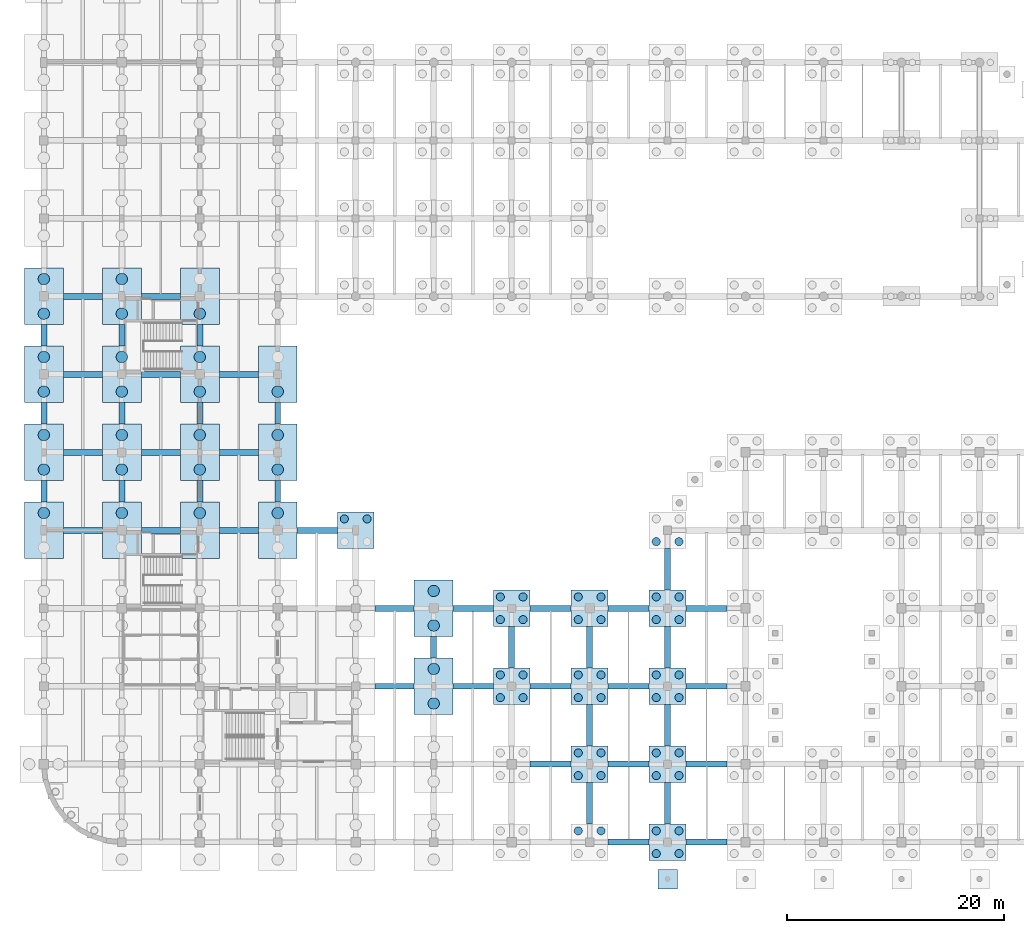
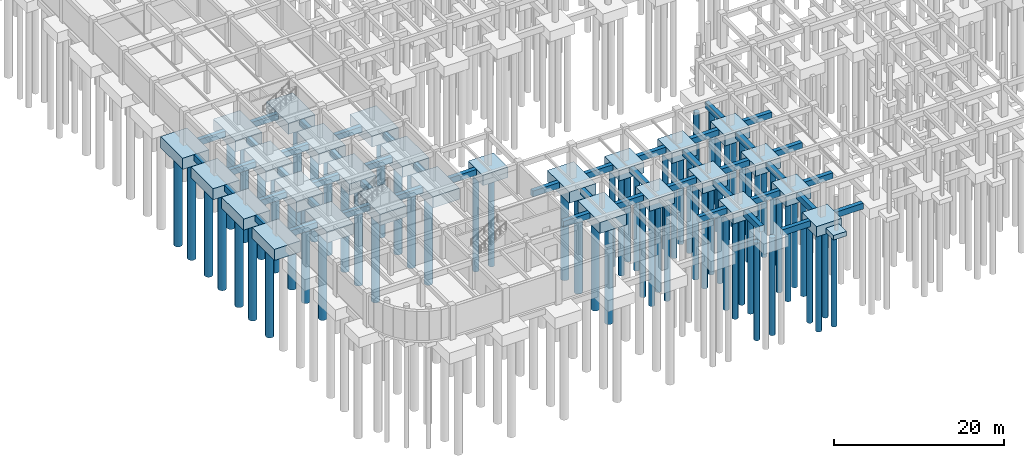
# One storey, part 2 of 47: 75 footings, 70 piles.
"""IFC4 building model written with IfcOpenShell, lengths in metres."""

from ifc_helpers import new_model, si_unit, direction, frame, origin, origin_2d, place, context, subcontext, project, spatial, rectangle, circle, extrude, material, material_profile, profile_set, type_object, element, save


model = new_model("IFC4")

# Units and contexts
model_context = context("Model", 3, precision=1e-05, world=origin(), true_north=direction((0.0, 1.0)))
body_context = subcontext(model_context, "Body", "Model", "MODEL_VIEW")
ifc_project = project(units=[si_unit("LENGTHUNIT", "METRE"), si_unit("AREAUNIT", "SQUARE_METRE"), si_unit("VOLUMEUNIT", "CUBIC_METRE"), si_unit("PLANEANGLEUNIT", "RADIAN"), si_unit("MASSUNIT", "GRAM", prefix="KILO")], contexts=[model_context])

# Site, building, storey
site_placement = place(None, origin())
site = spatial("IfcSite", under=ifc_project, at=site_placement, CompositionType="ELEMENT")
building_placement = place(site_placement, origin())
building = spatial("IfcBuilding", under=site, at=building_placement, Name="Thalmaran Polytechnic", CompositionType="ELEMENT")
storey_placement = place(building_placement, frame((0.0, 0.0, -4.5)))
storey = spatial("IfcBuildingStorey", under=building, at=storey_placement, Name="B1", CompositionType="ELEMENT", Elevation=-4.5)

# Footings
ifc_material_1 = material(Name="Concrete C40/50", Category="concrete")
ifc_material_profile_1 = material_profile(ifc_material_1, rectangle(XDim=0.550048828125, YDim=0.85009765625, at=origin_2d()), Name="RC 550x850")
ifc_profile_set_1 = profile_set([ifc_material_profile_1], Name="Concrete C40/50")
footing_type_1 = type_object("IfcFootingType", Name="FN-GB01", PredefinedType="FOOTING_BEAM", material=ifc_profile_set_1)
footing_1_placement = place(storey_placement, frame((1.800048828125, 28.800048828125, -0.875), z_axis=(1.0, 0.0, 0.0), x_axis=(0.0, 1.0, 0.0)))
element("IfcFooting", 1, at=footing_1_placement, inside=storey, type_object=footing_type_1, Name="Ground Tie Beam B1 X (0,4)", PredefinedType="FOOTING_BEAM", context=body_context, shape_type="SweptSolid", body=[
    extrude(rectangle(XDim=0.550048828125, YDim=0.85009765625, at=origin_2d()), origin(), (0.0, 0.0, 1.0), 3.599853515625),
])
footing_2_placement = place(storey_placement, frame((0.0, 31.39990234375, -0.875), z_axis=(0.0, 1.0, 0.0), x_axis=(-1.0, 0.0, 0.0)))
element("IfcFooting", 2, at=footing_2_placement, inside=storey, type_object=footing_type_1, Name="Ground Tie Beam B1 Y (0,4)", PredefinedType="FOOTING_BEAM", context=body_context, shape_type="SweptSolid", body=[
    extrude(rectangle(XDim=0.550048828125, YDim=0.85009765625, at=origin_2d()), origin(), (0.0, 0.0, 1.0), 2.0),
])
footing_3_placement = place(storey_placement, frame((1.800048828125, 36.0, -0.875), z_axis=(1.0, 0.0, 0.0), x_axis=(0.0, 1.0, 0.0)))
element("IfcFooting", 3, at=footing_3_placement, inside=storey, type_object=footing_type_1, Name="Ground Tie Beam B1 X (0,5)", PredefinedType="FOOTING_BEAM", context=body_context, shape_type="SweptSolid", body=[
    extrude(rectangle(XDim=0.550048828125, YDim=0.85009765625, at=origin_2d()), origin(), (0.0, 0.0, 1.0), 3.599853515625),
])
footing_4_placement = place(storey_placement, frame((0.0, 38.60009765625, -0.875), z_axis=(0.0, 1.0, 0.0), x_axis=(-1.0, 0.0, 0.0)))
element("IfcFooting", 4, at=footing_4_placement, inside=storey, type_object=footing_type_1, Name="Ground Tie Beam B1 Y (0,5)", PredefinedType="FOOTING_BEAM", context=body_context, shape_type="SweptSolid", body=[
    extrude(rectangle(XDim=0.550048828125, YDim=0.85009765625, at=origin_2d()), origin(), (0.0, 0.0, 1.0), 2.0),
])
footing_5_placement = place(storey_placement, frame((1.800048828125, 43.199951171875, -0.875), z_axis=(1.0, 0.0, 0.0), x_axis=(0.0, 1.0, 0.0)))
element("IfcFooting", 5, at=footing_5_placement, inside=storey, type_object=footing_type_1, Name="Ground Tie Beam B1 X (0,6)", PredefinedType="FOOTING_BEAM", context=body_context, shape_type="SweptSolid", body=[
    extrude(rectangle(XDim=0.550048828125, YDim=0.85009765625, at=origin_2d()), origin(), (0.0, 0.0, 1.0), 3.599853515625),
])
footing_6_placement = place(storey_placement, frame((0.0, 45.800048828125, -0.875), z_axis=(0.0, 1.0, 0.0), x_axis=(-1.0, 0.0, 0.0)))
element("IfcFooting", 6, at=footing_6_placement, inside=storey, type_object=footing_type_1, Name="Ground Tie Beam B1 Y (0,6)", PredefinedType="FOOTING_BEAM", context=body_context, shape_type="SweptSolid", body=[
    extrude(rectangle(XDim=0.550048828125, YDim=0.85009765625, at=origin_2d()), origin(), (0.0, 0.0, 1.0), 2.0),
])
footing_7_placement = place(storey_placement, frame((1.800048828125, 50.39990234375, -0.875), z_axis=(1.0, 0.0, 0.0), x_axis=(0.0, 1.0, 0.0)))
element("IfcFooting", 7, at=footing_7_placement, inside=storey, type_object=footing_type_1, Name="Ground Tie Beam B1 X (0,7)", PredefinedType="FOOTING_BEAM", context=body_context, shape_type="SweptSolid", body=[
    extrude(rectangle(XDim=0.550048828125, YDim=0.85009765625, at=origin_2d()), origin(), (0.0, 0.0, 1.0), 3.599853515625),
])
footing_8_placement = place(storey_placement, frame((9.0, 28.800048828125, -0.875), z_axis=(1.0, 0.0, 0.0), x_axis=(0.0, 1.0, 0.0)))
element("IfcFooting", 8, at=footing_8_placement, inside=storey, type_object=footing_type_1, Name="Ground Tie Beam B1 X (1,4)", PredefinedType="FOOTING_BEAM", context=body_context, shape_type="SweptSolid", body=[
    extrude(rectangle(XDim=0.550048828125, YDim=0.85009765625, at=origin_2d()), origin(), (0.0, 0.0, 1.0), 3.60009765625),
])
footing_9_placement = place(storey_placement, frame((7.199951171875, 31.39990234375, -0.875), z_axis=(0.0, 1.0, 0.0), x_axis=(-1.0, 0.0, 0.0)))
element("IfcFooting", 9, at=footing_9_placement, inside=storey, type_object=footing_type_1, Name="Ground Tie Beam B1 Y (1,4)", PredefinedType="FOOTING_BEAM", context=body_context, shape_type="SweptSolid", body=[
    extrude(rectangle(XDim=0.550048828125, YDim=0.85009765625, at=origin_2d()), origin(), (0.0, 0.0, 1.0), 2.0),
])
footing_10_placement = place(storey_placement, frame((9.0, 36.0, -0.875), z_axis=(1.0, 0.0, 0.0), x_axis=(0.0, 1.0, 0.0)))
element("IfcFooting", 10, at=footing_10_placement, inside=storey, type_object=footing_type_1, Name="Ground Tie Beam B1 X (1,5)", PredefinedType="FOOTING_BEAM", context=body_context, shape_type="SweptSolid", body=[
    extrude(rectangle(XDim=0.550048828125, YDim=0.85009765625, at=origin_2d()), origin(), (0.0, 0.0, 1.0), 3.60009765625),
])
footing_11_placement = place(storey_placement, frame((7.199951171875, 38.60009765625, -0.875), z_axis=(0.0, 1.0, 0.0), x_axis=(-1.0, 0.0, 0.0)))
element("IfcFooting", 11, at=footing_11_placement, inside=storey, type_object=footing_type_1, Name="Ground Tie Beam B1 Y (1,5)", PredefinedType="FOOTING_BEAM", context=body_context, shape_type="SweptSolid", body=[
    extrude(rectangle(XDim=0.550048828125, YDim=0.85009765625, at=origin_2d()), origin(), (0.0, 0.0, 1.0), 2.0),
])
footing_12_placement = place(storey_placement, frame((9.0, 43.199951171875, -0.875), z_axis=(1.0, 0.0, 0.0), x_axis=(0.0, 1.0, 0.0)))
element("IfcFooting", 12, at=footing_12_placement, inside=storey, type_object=footing_type_1, Name="Ground Tie Beam B1 X (1,6)", PredefinedType="FOOTING_BEAM", context=body_context, shape_type="SweptSolid", body=[
    extrude(rectangle(XDim=0.550048828125, YDim=0.85009765625, at=origin_2d()), origin(), (0.0, 0.0, 1.0), 3.60009765625),
])
footing_13_placement = place(storey_placement, frame((7.199951171875, 45.800048828125, -0.875), z_axis=(0.0, 1.0, 0.0), x_axis=(-1.0, 0.0, 0.0)))
element("IfcFooting", 13, at=footing_13_placement, inside=storey, type_object=footing_type_1, Name="Ground Tie Beam B1 Y (1,6)", PredefinedType="FOOTING_BEAM", context=body_context, shape_type="SweptSolid", body=[
    extrude(rectangle(XDim=0.550048828125, YDim=0.85009765625, at=origin_2d()), origin(), (0.0, 0.0, 1.0), 2.0),
])
for number, where, z_axis, x_axis, name in (
    (14, (9.0, 50.39990234375, -0.875), (1.0, 0.0, 0.0), (0.0, 1.0, 0.0), "Ground Tie Beam B1 X (1,7)"),
    (15, (16.199951171875, 28.800048828125, -0.875), (1.0, 0.0, 0.0), (0.0, 1.0, 0.0), "Ground Tie Beam B1 X (2,4)"),
):
    element("IfcFooting", number, at=place(storey_placement, frame(where, z_axis=z_axis, x_axis=x_axis)), inside=storey, type_object=footing_type_1, Name=name, PredefinedType="FOOTING_BEAM", context=body_context, shape_type="SweptSolid", body=[
        extrude(rectangle(XDim=0.550048828125, YDim=0.85009765625, at=origin_2d()), origin(), (0.0, 0.0, 1.0), 3.60009765625),
    ])
footing_14_placement = place(storey_placement, frame((14.39990234375, 31.39990234375, -0.875), z_axis=(0.0, 1.0, 0.0), x_axis=(-1.0, 0.0, 0.0)))
element("IfcFooting", 16, at=footing_14_placement, inside=storey, type_object=footing_type_1, Name="Ground Tie Beam B1 Y (2,4)", PredefinedType="FOOTING_BEAM", context=body_context, shape_type="SweptSolid", body=[
    extrude(rectangle(XDim=0.550048828125, YDim=0.85009765625, at=origin_2d()), origin(), (0.0, 0.0, 1.0), 2.0),
])
footing_15_placement = place(storey_placement, frame((16.199951171875, 36.0, -0.875), z_axis=(1.0, 0.0, 0.0), x_axis=(0.0, 1.0, 0.0)))
element("IfcFooting", 17, at=footing_15_placement, inside=storey, type_object=footing_type_1, Name="Ground Tie Beam B1 X (2,5)", PredefinedType="FOOTING_BEAM", context=body_context, shape_type="SweptSolid", body=[
    extrude(rectangle(XDim=0.550048828125, YDim=0.85009765625, at=origin_2d()), origin(), (0.0, 0.0, 1.0), 3.60009765625),
])
footing_16_placement = place(storey_placement, frame((14.39990234375, 38.60009765625, -0.875), z_axis=(0.0, 1.0, 0.0), x_axis=(-1.0, 0.0, 0.0)))
element("IfcFooting", 18, at=footing_16_placement, inside=storey, type_object=footing_type_1, Name="Ground Tie Beam B1 Y (2,5)", PredefinedType="FOOTING_BEAM", context=body_context, shape_type="SweptSolid", body=[
    extrude(rectangle(XDim=0.550048828125, YDim=0.85009765625, at=origin_2d()), origin(), (0.0, 0.0, 1.0), 2.0),
])
footing_17_placement = place(storey_placement, frame((16.199951171875, 43.199951171875, -0.875), z_axis=(1.0, 0.0, 0.0), x_axis=(0.0, 1.0, 0.0)))
element("IfcFooting", 19, at=footing_17_placement, inside=storey, type_object=footing_type_1, Name="Ground Tie Beam B1 X (2,6)", PredefinedType="FOOTING_BEAM", context=body_context, shape_type="SweptSolid", body=[
    extrude(rectangle(XDim=0.550048828125, YDim=0.85009765625, at=origin_2d()), origin(), (0.0, 0.0, 1.0), 3.60009765625),
])
footing_18_placement = place(storey_placement, frame((14.39990234375, 45.800048828125, -0.875), z_axis=(0.0, 1.0, 0.0), x_axis=(-1.0, 0.0, 0.0)))
element("IfcFooting", 20, at=footing_18_placement, inside=storey, type_object=footing_type_1, Name="Ground Tie Beam B1 Y (2,6)", PredefinedType="FOOTING_BEAM", context=body_context, shape_type="SweptSolid", body=[
    extrude(rectangle(XDim=0.550048828125, YDim=0.85009765625, at=origin_2d()), origin(), (0.0, 0.0, 1.0), 2.0),
])
footing_19_placement = place(storey_placement, frame((23.39990234375, 28.800048828125, -0.875), z_axis=(1.0, 0.0, 0.0), x_axis=(0.0, 1.0, 0.0)))
element("IfcFooting", 21, at=footing_19_placement, inside=storey, type_object=footing_type_1, Name="Ground Tie Beam B1 X (3,4)", PredefinedType="FOOTING_BEAM", context=body_context, shape_type="SweptSolid", body=[
    extrude(rectangle(XDim=0.550048828125, YDim=0.85009765625, at=origin_2d()), origin(), (0.0, 0.0, 1.0), 3.7001953125),
])
for number, where, z_axis, x_axis, name in (
    (22, (21.60009765625, 31.39990234375, -0.875), (0.0, 1.0, 0.0), (-1.0, 0.0, 0.0), "Ground Tie Beam B1 Y (3,4)"),
    (23, (21.60009765625, 38.60009765625, -0.875), (0.0, 1.0, 0.0), (-1.0, 0.0, 0.0), "Ground Tie Beam B1 Y (3,5)"),
):
    element("IfcFooting", number, at=place(storey_placement, frame(where, z_axis=z_axis, x_axis=x_axis)), inside=storey, type_object=footing_type_1, Name=name, PredefinedType="FOOTING_BEAM", context=body_context, shape_type="SweptSolid", body=[
        extrude(rectangle(XDim=0.550048828125, YDim=0.85009765625, at=origin_2d()), origin(), (0.0, 0.0, 1.0), 2.0),
    ])
for number, where, z_axis, x_axis, name in (
    (24, (30.60009765625, 14.39990234375, -0.875), (1.0, 0.0, 0.0), (0.0, 1.0, 0.0), "Ground Tie Beam B1 X (4,2)"),
    (25, (30.60009765625, 21.60009765625, -0.875), (1.0, 0.0, 0.0), (0.0, 1.0, 0.0), "Ground Tie Beam B1 X (4,3)"),
):
    element("IfcFooting", number, at=place(storey_placement, frame(where, z_axis=z_axis, x_axis=x_axis)), inside=storey, type_object=footing_type_1, Name=name, PredefinedType="FOOTING_BEAM", context=body_context, shape_type="SweptSolid", body=[
        extrude(rectangle(XDim=0.550048828125, YDim=0.85009765625, at=origin_2d()), origin(), (0.0, 0.0, 1.0), 3.599853515625),
    ])
footing_20_placement = place(storey_placement, frame((37.800048828125, 14.39990234375, -0.875), z_axis=(1.0, 0.0, 0.0), x_axis=(0.0, 1.0, 0.0)))
element("IfcFooting", 26, at=footing_20_placement, inside=storey, type_object=footing_type_1, Name="Ground Tie Beam B1 X (5,2)", PredefinedType="FOOTING_BEAM", context=body_context, shape_type="SweptSolid", body=[
    extrude(rectangle(XDim=0.550048828125, YDim=0.85009765625, at=origin_2d()), origin(), (0.0, 0.0, 1.0), 3.699951171875),
])
footing_21_placement = place(storey_placement, frame((36.0, 17.0, -0.875), z_axis=(0.0, 1.0, 0.0), x_axis=(-1.0, 0.0, 0.0)))
element("IfcFooting", 27, at=footing_21_placement, inside=storey, type_object=footing_type_1, Name="Ground Tie Beam B1 Y (5,2)", PredefinedType="FOOTING_BEAM", context=body_context, shape_type="SweptSolid", body=[
    extrude(rectangle(XDim=0.550048828125, YDim=0.85009765625, at=origin_2d()), origin(), (0.0, 0.0, 1.0), 2.0),
])
footing_22_placement = place(storey_placement, frame((37.800048828125, 21.60009765625, -0.875), z_axis=(1.0, 0.0, 0.0), x_axis=(0.0, 1.0, 0.0)))
element("IfcFooting", 28, at=footing_22_placement, inside=storey, type_object=footing_type_1, Name="Ground Tie Beam B1 X (5,3)", PredefinedType="FOOTING_BEAM", context=body_context, shape_type="SweptSolid", body=[
    extrude(rectangle(XDim=0.550048828125, YDim=0.85009765625, at=origin_2d()), origin(), (0.0, 0.0, 1.0), 3.699951171875),
])
for number, where, z_axis, x_axis, name in (
    (29, (44.89990234375, 7.199951171875, -0.875), (1.0, 0.0, 0.0), (0.0, 1.0, 0.0), "Ground Tie Beam B1 X (6,1)"),
    (30, (44.89990234375, 14.39990234375, -0.875), (1.0, 0.0, 0.0), (0.0, 1.0, 0.0), "Ground Tie Beam B1 X (6,2)"),
):
    element("IfcFooting", number, at=place(storey_placement, frame(where, z_axis=z_axis, x_axis=x_axis)), inside=storey, type_object=footing_type_1, Name=name, PredefinedType="FOOTING_BEAM", context=body_context, shape_type="SweptSolid", body=[
        extrude(rectangle(XDim=0.550048828125, YDim=0.85009765625, at=origin_2d()), origin(), (0.0, 0.0, 1.0), 3.800048828125),
    ])
footing_23_placement = place(storey_placement, frame((43.199951171875, 16.10009765625, -0.875), z_axis=(0.0, 1.0, 0.0), x_axis=(-1.0, 0.0, 0.0)))
element("IfcFooting", 31, at=footing_23_placement, inside=storey, type_object=footing_type_1, Name="Ground Tie Beam B1 Y (6,2)", PredefinedType="FOOTING_BEAM", context=body_context, shape_type="SweptSolid", body=[
    extrude(rectangle(XDim=0.550048828125, YDim=0.85009765625, at=origin_2d()), origin(), (0.0, 0.0, 1.0), 3.7998046875),
])
footing_24_placement = place(storey_placement, frame((44.89990234375, 21.60009765625, -0.875), z_axis=(1.0, 0.0, 0.0), x_axis=(0.0, 1.0, 0.0)))
element("IfcFooting", 32, at=footing_24_placement, inside=storey, type_object=footing_type_1, Name="Ground Tie Beam B1 X (6,3)", PredefinedType="FOOTING_BEAM", context=body_context, shape_type="SweptSolid", body=[
    extrude(rectangle(XDim=0.550048828125, YDim=0.85009765625, at=origin_2d()), origin(), (0.0, 0.0, 1.0), 3.800048828125),
])
footing_25_placement = place(storey_placement, frame((52.10009765625, 0.0, -0.875), z_axis=(1.0, 0.0, 0.0), x_axis=(0.0, 1.0, 0.0)))
element("IfcFooting", 33, at=footing_25_placement, inside=storey, type_object=footing_type_1, Name="Ground Tie Beam B1 X (7,0)", PredefinedType="FOOTING_BEAM", context=body_context, shape_type="SweptSolid", body=[
    extrude(rectangle(XDim=0.550048828125, YDim=0.85009765625, at=origin_2d()), origin(), (0.0, 0.0, 1.0), 3.7998046875),
])
footing_26_placement = place(storey_placement, frame((50.39990234375, 1.699951171875, -0.875), z_axis=(0.0, 1.0, 0.0), x_axis=(-1.0, 0.0, 0.0)))
element("IfcFooting", 34, at=footing_26_placement, inside=storey, type_object=footing_type_1, Name="Ground Tie Beam B1 Y (7,0)", PredefinedType="FOOTING_BEAM", context=body_context, shape_type="SweptSolid", body=[
    extrude(rectangle(XDim=0.550048828125, YDim=0.85009765625, at=origin_2d()), origin(), (0.0, 0.0, 1.0), 3.800048828125),
])
footing_27_placement = place(storey_placement, frame((52.10009765625, 7.199951171875, -0.875), z_axis=(1.0, 0.0, 0.0), x_axis=(0.0, 1.0, 0.0)))
element("IfcFooting", 35, at=footing_27_placement, inside=storey, type_object=footing_type_1, Name="Ground Tie Beam B1 X (7,1)", PredefinedType="FOOTING_BEAM", context=body_context, shape_type="SweptSolid", body=[
    extrude(rectangle(XDim=0.550048828125, YDim=0.85009765625, at=origin_2d()), origin(), (0.0, 0.0, 1.0), 3.7998046875),
])
footing_28_placement = place(storey_placement, frame((50.39990234375, 8.89990234375, -0.875), z_axis=(0.0, 1.0, 0.0), x_axis=(-1.0, 0.0, 0.0)))
element("IfcFooting", 36, at=footing_28_placement, inside=storey, type_object=footing_type_1, Name="Ground Tie Beam B1 Y (7,1)", PredefinedType="FOOTING_BEAM", context=body_context, shape_type="SweptSolid", body=[
    extrude(rectangle(XDim=0.550048828125, YDim=0.85009765625, at=origin_2d()), origin(), (0.0, 0.0, 1.0), 3.800048828125),
])
for number, where, z_axis, x_axis, name in (
    (37, (52.10009765625, 14.39990234375, -0.875), (1.0, 0.0, 0.0), (0.0, 1.0, 0.0), "Ground Tie Beam B1 X (7,2)"),
    (38, (50.39990234375, 16.10009765625, -0.875), (0.0, 1.0, 0.0), (-1.0, 0.0, 0.0), "Ground Tie Beam B1 Y (7,2)"),
    (39, (52.10009765625, 21.60009765625, -0.875), (1.0, 0.0, 0.0), (0.0, 1.0, 0.0), "Ground Tie Beam B1 X (7,3)"),
):
    element("IfcFooting", number, at=place(storey_placement, frame(where, z_axis=z_axis, x_axis=x_axis)), inside=storey, type_object=footing_type_1, Name=name, PredefinedType="FOOTING_BEAM", context=body_context, shape_type="SweptSolid", body=[
        extrude(rectangle(XDim=0.550048828125, YDim=0.85009765625, at=origin_2d()), origin(), (0.0, 0.0, 1.0), 3.7998046875),
    ])
for number, where, z_axis, x_axis, name in (
    (40, (59.300048828125, 0.0, -0.875), (1.0, 0.0, 0.0), (0.0, 1.0, 0.0), "Ground Tie Beam B1 X (8,0)"),
    (41, (57.60009765625, 1.699951171875, -0.875), (0.0, 1.0, 0.0), (-1.0, 0.0, 0.0), "Ground Tie Beam B1 Y (8,0)"),
    (42, (59.300048828125, 7.199951171875, -0.875), (1.0, 0.0, 0.0), (0.0, 1.0, 0.0), "Ground Tie Beam B1 X (8,1)"),
    (43, (57.60009765625, 8.89990234375, -0.875), (0.0, 1.0, 0.0), (-1.0, 0.0, 0.0), "Ground Tie Beam B1 Y (8,1)"),
    (44, (59.300048828125, 14.39990234375, -0.875), (1.0, 0.0, 0.0), (0.0, 1.0, 0.0), "Ground Tie Beam B1 X (8,2)"),
):
    element("IfcFooting", number, at=place(storey_placement, frame(where, z_axis=z_axis, x_axis=x_axis)), inside=storey, type_object=footing_type_1, Name=name, PredefinedType="FOOTING_BEAM", context=body_context, shape_type="SweptSolid", body=[
        extrude(rectangle(XDim=0.550048828125, YDim=0.85009765625, at=origin_2d()), origin(), (0.0, 0.0, 1.0), 3.800048828125),
    ])
footing_29_placement = place(storey_placement, frame((57.60009765625, 16.10009765625, -0.875), z_axis=(0.0, 1.0, 0.0), x_axis=(-1.0, 0.0, 0.0)))
element("IfcFooting", 45, at=footing_29_placement, inside=storey, type_object=footing_type_1, Name="Ground Tie Beam B1 Y (8,2)", PredefinedType="FOOTING_BEAM", context=body_context, shape_type="SweptSolid", body=[
    extrude(rectangle(XDim=0.550048828125, YDim=0.85009765625, at=origin_2d()), origin(), (0.0, 0.0, 1.0), 3.7998046875),
])
for number, where, z_axis, x_axis, name in (
    (46, (59.300048828125, 21.60009765625, -0.875), (1.0, 0.0, 0.0), (0.0, 1.0, 0.0), "Ground Tie Beam B1 X (8,3)"),
    (47, (57.60009765625, 23.300048828125, -0.875), (0.0, 1.0, 0.0), (-1.0, 0.0, 0.0), "Ground Tie Beam B1 Y (8,3)"),
):
    element("IfcFooting", number, at=place(storey_placement, frame(where, z_axis=z_axis, x_axis=x_axis)), inside=storey, type_object=footing_type_1, Name=name, PredefinedType="FOOTING_BEAM", context=body_context, shape_type="SweptSolid", body=[
        extrude(rectangle(XDim=0.550048828125, YDim=0.85009765625, at=origin_2d()), origin(), (0.0, 0.0, 1.0), 3.800048828125),
    ])
footing_type_2 = type_object("IfcFootingType", Name="FN-PC01", PredefinedType="PILE_CAP", material=ifc_material_1)
for number, where, z_axis, x_axis, name in (
    (48, (28.800048828125, 28.800048828125, -1.949951171875), (0.0, 0.0, 1.0), (1.0, 0.0, 0.0), "Pile Cap PC01 (4,4)"),
    (49, (43.199951171875, 14.39990234375, -1.949951171875), (0.0, 0.0, 1.0), (1.0, 0.0, 0.0), "Pile Cap PC01 (6,2)"),
    (50, (43.199951171875, 21.60009765625, -1.949951171875), (0.0, 0.0, 1.0), (1.0, 0.0, 0.0), "Pile Cap PC01 (6,3)"),
    (51, (50.39990234375, 7.199951171875, -1.949951171875), (0.0, 0.0, 1.0), (1.0, 0.0, 0.0), "Pile Cap PC01 (7,1)"),
    (52, (50.39990234375, 14.39990234375, -1.949951171875), (0.0, 0.0, 1.0), (1.0, 0.0, 0.0), "Pile Cap PC01 (7,2)"),
    (53, (50.39990234375, 21.60009765625, -1.949951171875), (0.0, 0.0, 1.0), (1.0, 0.0, 0.0), "Pile Cap PC01 (7,3)"),
    (54, (57.60009765625, 0.0, -1.949951171875), (0.0, 0.0, 1.0), (1.0, 0.0, 0.0), "Pile Cap PC01 (8,0)"),
    (55, (57.60009765625, 7.199951171875, -1.949951171875), (0.0, 0.0, 1.0), (1.0, 0.0, 0.0), "Pile Cap PC01 (8,1)"),
    (56, (57.60009765625, 14.39990234375, -1.949951171875), (0.0, 0.0, 1.0), (1.0, 0.0, 0.0), "Pile Cap PC01 (8,2)"),
    (57, (57.60009765625, 21.60009765625, -1.949951171875), (0.0, 0.0, 1.0), (1.0, 0.0, 0.0), "Pile Cap PC01 (8,3)"),
):
    element("IfcFooting", number, at=place(storey_placement, frame(where, z_axis=z_axis, x_axis=x_axis)), inside=storey, type_object=footing_type_2, Name=name, PredefinedType="PILE_CAP", context=body_context, shape_type="SweptSolid", body=[
        extrude(rectangle(XDim=3.39990234375, YDim=3.39990234375, at=origin_2d()), origin(), (0.0, 0.0, 1.0), 1.5),
    ])
footing_type_3 = type_object("IfcFootingType", Name="FN-PC08", PredefinedType="PILE_CAP", material=ifc_material_1)
for number, where, z_axis, x_axis, name in (
    (58, (0.0, 28.800048828125, -2.050048828125), (0.0, 0.0, 1.0), (1.0, 0.0, 0.0), "Pile Cap PC08 (0,4)"),
    (59, (0.0, 36.0, -2.050048828125), (0.0, 0.0, 1.0), (1.0, 0.0, 0.0), "Pile Cap PC08 (0,5)"),
    (60, (0.0, 43.199951171875, -2.050048828125), (0.0, 0.0, 1.0), (1.0, 0.0, 0.0), "Pile Cap PC08 (0,6)"),
    (61, (0.0, 50.39990234375, -2.050048828125), (0.0, 0.0, 1.0), (1.0, 0.0, 0.0), "Pile Cap PC08 (0,7)"),
    (62, (7.199951171875, 28.800048828125, -2.050048828125), (0.0, 0.0, 1.0), (1.0, 0.0, 0.0), "Pile Cap PC08 (1,4)"),
    (63, (7.199951171875, 36.0, -2.050048828125), (0.0, 0.0, 1.0), (1.0, 0.0, 0.0), "Pile Cap PC08 (1,5)"),
    (64, (7.199951171875, 43.199951171875, -2.050048828125), (0.0, 0.0, 1.0), (1.0, 0.0, 0.0), "Pile Cap PC08 (1,6)"),
    (65, (7.199951171875, 50.39990234375, -2.050048828125), (0.0, 0.0, 1.0), (1.0, 0.0, 0.0), "Pile Cap PC08 (1,7)"),
    (66, (14.39990234375, 28.800048828125, -2.050048828125), (0.0, 0.0, 1.0), (1.0, 0.0, 0.0), "Pile Cap PC08 (2,4)"),
    (67, (14.39990234375, 36.0, -2.050048828125), (0.0, 0.0, 1.0), (1.0, 0.0, 0.0), "Pile Cap PC08 (2,5)"),
    (68, (14.39990234375, 43.199951171875, -2.050048828125), (0.0, 0.0, 1.0), (1.0, 0.0, 0.0), "Pile Cap PC08 (2,6)"),
    (69, (14.39990234375, 50.39990234375, -2.050048828125), (0.0, 0.0, 1.0), (1.0, 0.0, 0.0), "Pile Cap PC08 (2,7)"),
    (70, (21.60009765625, 28.800048828125, -2.050048828125), (0.0, 0.0, 1.0), (1.0, 0.0, 0.0), "Pile Cap PC08 (3,4)"),
    (71, (21.60009765625, 36.0, -2.050048828125), (0.0, 0.0, 1.0), (1.0, 0.0, 0.0), "Pile Cap PC08 (3,5)"),
    (72, (21.60009765625, 43.199951171875, -2.050048828125), (0.0, 0.0, 1.0), (1.0, 0.0, 0.0), "Pile Cap PC08 (3,6)"),
    (73, (36.0, 14.39990234375, -2.050048828125), (0.0, 0.0, 1.0), (1.0, 0.0, 0.0), "Pile Cap PC08 (5,2)"),
    (74, (36.0, 21.60009765625, -2.050048828125), (0.0, 0.0, 1.0), (1.0, 0.0, 0.0), "Pile Cap PC08 (5,3)"),
):
    element("IfcFooting", number, at=place(storey_placement, frame(where, z_axis=z_axis, x_axis=x_axis)), inside=storey, type_object=footing_type_3, Name=name, PredefinedType="PILE_CAP", context=body_context, shape_type="SweptSolid", body=[
        extrude(rectangle(XDim=3.60009765625, YDim=5.199951171875, at=origin_2d()), origin(), (0.0, 0.0, 1.0), 1.60009765625),
    ])
footing_type_4 = type_object("IfcFootingType", Name="FN-PF02", PredefinedType="PAD_FOOTING", material=ifc_material_1)
footing_30_placement = place(storey_placement, frame((57.60009765625, -3.39990234375, -1.099853515625), z_axis=(0.0, 0.0, 1.0), x_axis=(1.0, 0.0, 0.0)))
element("IfcFooting", 75, at=footing_30_placement, inside=storey, type_object=footing_type_4, Name="Arcade Sabkha Pad Footing S0", PredefinedType="PAD_FOOTING", context=body_context, shape_type="SweptSolid", body=[
    extrude(rectangle(XDim=1.800048828125, YDim=1.800048828125, at=origin_2d()), origin(), (0.0, 0.0, 1.0), 0.64990234375),
])

# Piles
ifc_material_2 = material(Name="Concrete C35/45", Category="concrete")
ifc_material_profile_2 = material_profile(ifc_material_2, circle(Radius=0.52490234375, at=origin_2d()), Name="RC 1050 DIA")
ifc_profile_set_2 = profile_set([ifc_material_profile_2], Name="Concrete C35/45")
pile_type_1 = type_object("IfcPileType", Name="PL-BP01", PredefinedType="BORED", material=ifc_profile_set_2)
for number, where, z_axis, x_axis, name in (
    (76, (0.0, 30.39990234375, -2.050048828125), (0.0, 0.0, -1.0), (1.0, 0.0, 0.0), "Bored Pile BP01 (0,4)-2"),
    (77, (0.0, 34.39990234375, -2.050048828125), (0.0, 0.0, -1.0), (1.0, 0.0, 0.0), "Bored Pile BP01 (0,5)-1"),
    (78, (0.0, 37.60009765625, -2.050048828125), (0.0, 0.0, -1.0), (1.0, 0.0, 0.0), "Bored Pile BP01 (0,5)-2"),
    (79, (0.0, 41.60009765625, -2.050048828125), (0.0, 0.0, -1.0), (1.0, 0.0, 0.0), "Bored Pile BP01 (0,6)-1"),
    (80, (0.0, 44.800048828125, -2.050048828125), (0.0, 0.0, -1.0), (1.0, 0.0, 0.0), "Bored Pile BP01 (0,6)-2"),
    (81, (0.0, 48.800048828125, -2.050048828125), (0.0, 0.0, -1.0), (1.0, 0.0, 0.0), "Bored Pile BP01 (0,7)-1"),
    (82, (0.0, 52.0, -2.050048828125), (0.0, 0.0, -1.0), (1.0, 0.0, 0.0), "Bored Pile BP01 (0,7)-2"),
    (83, (7.199951171875, 30.39990234375, -2.050048828125), (0.0, 0.0, -1.0), (1.0, 0.0, 0.0), "Bored Pile BP01 (1,4)-2"),
    (84, (7.199951171875, 34.39990234375, -2.050048828125), (0.0, 0.0, -1.0), (1.0, 0.0, 0.0), "Bored Pile BP01 (1,5)-1"),
    (85, (7.199951171875, 37.60009765625, -2.050048828125), (0.0, 0.0, -1.0), (1.0, 0.0, 0.0), "Bored Pile BP01 (1,5)-2"),
    (86, (7.199951171875, 41.60009765625, -2.050048828125), (0.0, 0.0, -1.0), (1.0, 0.0, 0.0), "Bored Pile BP01 (1,6)-1"),
    (87, (7.199951171875, 44.800048828125, -2.050048828125), (0.0, 0.0, -1.0), (1.0, 0.0, 0.0), "Bored Pile BP01 (1,6)-2"),
    (88, (7.199951171875, 48.800048828125, -2.050048828125), (0.0, 0.0, -1.0), (1.0, 0.0, 0.0), "Bored Pile BP01 (1,7)-1"),
    (89, (7.199951171875, 52.0, -2.050048828125), (0.0, 0.0, -1.0), (1.0, 0.0, 0.0), "Bored Pile BP01 (1,7)-2"),
    (90, (14.39990234375, 30.39990234375, -2.050048828125), (0.0, 0.0, -1.0), (1.0, 0.0, 0.0), "Bored Pile BP01 (2,4)-2"),
    (91, (14.39990234375, 34.39990234375, -2.050048828125), (0.0, 0.0, -1.0), (1.0, 0.0, 0.0), "Bored Pile BP01 (2,5)-1"),
    (92, (14.39990234375, 37.60009765625, -2.050048828125), (0.0, 0.0, -1.0), (1.0, 0.0, 0.0), "Bored Pile BP01 (2,5)-2"),
    (93, (14.39990234375, 41.60009765625, -2.050048828125), (0.0, 0.0, -1.0), (1.0, 0.0, 0.0), "Bored Pile BP01 (2,6)-1"),
    (94, (14.39990234375, 44.800048828125, -2.050048828125), (0.0, 0.0, -1.0), (1.0, 0.0, 0.0), "Bored Pile BP01 (2,6)-2"),
    (95, (14.39990234375, 48.800048828125, -2.050048828125), (0.0, 0.0, -1.0), (1.0, 0.0, 0.0), "Bored Pile BP01 (2,7)-1"),
    (96, (21.60009765625, 30.39990234375, -2.050048828125), (0.0, 0.0, -1.0), (1.0, 0.0, 0.0), "Bored Pile BP01 (3,4)-2"),
    (97, (21.60009765625, 34.39990234375, -2.050048828125), (0.0, 0.0, -1.0), (1.0, 0.0, 0.0), "Bored Pile BP01 (3,5)-1"),
    (98, (21.60009765625, 37.60009765625, -2.050048828125), (0.0, 0.0, -1.0), (1.0, 0.0, 0.0), "Bored Pile BP01 (3,5)-2"),
    (99, (21.60009765625, 41.60009765625, -2.050048828125), (0.0, 0.0, -1.0), (1.0, 0.0, 0.0), "Bored Pile BP01 (3,6)-1"),
    (100, (36.0, 12.800048828125, -2.050048828125), (0.0, 0.0, -1.0), (1.0, 0.0, 0.0), "Bored Pile BP01 (5,2)-1"),
    (101, (36.0, 16.0, -2.050048828125), (0.0, 0.0, -1.0), (1.0, 0.0, 0.0), "Bored Pile BP01 (5,2)-2"),
    (102, (36.0, 20.0, -2.050048828125), (0.0, 0.0, -1.0), (1.0, 0.0, 0.0), "Bored Pile BP01 (5,3)-1"),
    (103, (36.0, 23.199951171875, -2.050048828125), (0.0, 0.0, -1.0), (1.0, 0.0, 0.0), "Bored Pile BP01 (5,3)-2"),
):
    element("IfcPile", number, at=place(storey_placement, frame(where, z_axis=z_axis, x_axis=x_axis)), inside=storey, type_object=pile_type_1, Name=name, PredefinedType="BORED", context=body_context, shape_type="SweptSolid", body=[
        extrude(circle(Radius=0.52490234375, at=origin_2d()), origin(), (0.0, 0.0, 1.0), 13.949951171875),
    ])
ifc_material_profile_3 = material_profile(ifc_material_2, circle(Radius=0.375, at=origin_2d()), Name="RC 750 DIA")
ifc_profile_set_3 = profile_set([ifc_material_profile_3], Name="Concrete C35/45")
pile_type_2 = type_object("IfcPileType", Name="PL-BP03", PredefinedType="BORED", material=ifc_profile_set_3)
for number, where, z_axis, x_axis, name in (
    (104, (27.75, 29.85009765625, -1.949951171875), (0.0, 0.0, -1.0), (1.0, 0.0, 0.0), "Bored Pile BP03 (4,4)-2"),
    (105, (29.85009765625, 29.85009765625, -1.949951171875), (0.0, 0.0, -1.0), (1.0, 0.0, 0.0), "Bored Pile BP03 (4,4)-4"),
    (106, (42.14990234375, 13.35009765625, -1.949951171875), (0.0, 0.0, -1.0), (1.0, 0.0, 0.0), "Bored Pile BP03 (6,2)-1"),
    (107, (42.14990234375, 15.449951171875, -1.949951171875), (0.0, 0.0, -1.0), (1.0, 0.0, 0.0), "Bored Pile BP03 (6,2)-2"),
    (108, (44.25, 13.35009765625, -1.949951171875), (0.0, 0.0, -1.0), (1.0, 0.0, 0.0), "Bored Pile BP03 (6,2)-3"),
    (109, (44.25, 15.449951171875, -1.949951171875), (0.0, 0.0, -1.0), (1.0, 0.0, 0.0), "Bored Pile BP03 (6,2)-4"),
    (110, (42.14990234375, 20.550048828125, -1.949951171875), (0.0, 0.0, -1.0), (1.0, 0.0, 0.0), "Bored Pile BP03 (6,3)-1"),
    (111, (42.14990234375, 22.64990234375, -1.949951171875), (0.0, 0.0, -1.0), (1.0, 0.0, 0.0), "Bored Pile BP03 (6,3)-2"),
    (112, (44.25, 20.550048828125, -1.949951171875), (0.0, 0.0, -1.0), (1.0, 0.0, 0.0), "Bored Pile BP03 (6,3)-3"),
    (113, (44.25, 22.64990234375, -1.949951171875), (0.0, 0.0, -1.0), (1.0, 0.0, 0.0), "Bored Pile BP03 (6,3)-4"),
    (114, (49.35009765625, 1.050048828125, -1.949951171875), (0.0, 0.0, -1.0), (1.0, 0.0, 0.0), "Bored Pile BP03 (7,0)-2"),
    (115, (51.449951171875, 1.050048828125, -1.949951171875), (0.0, 0.0, -1.0), (1.0, 0.0, 0.0), "Bored Pile BP03 (7,0)-4"),
    (116, (49.35009765625, 6.14990234375, -1.949951171875), (0.0, 0.0, -1.0), (1.0, 0.0, 0.0), "Bored Pile BP03 (7,1)-1"),
    (117, (49.35009765625, 8.25, -1.949951171875), (0.0, 0.0, -1.0), (1.0, 0.0, 0.0), "Bored Pile BP03 (7,1)-2"),
    (118, (51.449951171875, 6.14990234375, -1.949951171875), (0.0, 0.0, -1.0), (1.0, 0.0, 0.0), "Bored Pile BP03 (7,1)-3"),
    (119, (51.449951171875, 8.25, -1.949951171875), (0.0, 0.0, -1.0), (1.0, 0.0, 0.0), "Bored Pile BP03 (7,1)-4"),
    (120, (49.35009765625, 13.35009765625, -1.949951171875), (0.0, 0.0, -1.0), (1.0, 0.0, 0.0), "Bored Pile BP03 (7,2)-1"),
    (121, (49.35009765625, 15.449951171875, -1.949951171875), (0.0, 0.0, -1.0), (1.0, 0.0, 0.0), "Bored Pile BP03 (7,2)-2"),
    (122, (51.449951171875, 13.35009765625, -1.949951171875), (0.0, 0.0, -1.0), (1.0, 0.0, 0.0), "Bored Pile BP03 (7,2)-3"),
    (123, (51.449951171875, 15.449951171875, -1.949951171875), (0.0, 0.0, -1.0), (1.0, 0.0, 0.0), "Bored Pile BP03 (7,2)-4"),
    (124, (49.35009765625, 20.550048828125, -1.949951171875), (0.0, 0.0, -1.0), (1.0, 0.0, 0.0), "Bored Pile BP03 (7,3)-1"),
    (125, (49.35009765625, 22.64990234375, -1.949951171875), (0.0, 0.0, -1.0), (1.0, 0.0, 0.0), "Bored Pile BP03 (7,3)-2"),
    (126, (51.449951171875, 20.550048828125, -1.949951171875), (0.0, 0.0, -1.0), (1.0, 0.0, 0.0), "Bored Pile BP03 (7,3)-3"),
    (127, (51.449951171875, 22.64990234375, -1.949951171875), (0.0, 0.0, -1.0), (1.0, 0.0, 0.0), "Bored Pile BP03 (7,3)-4"),
    (128, (56.550048828125, -1.050048828125, -1.949951171875), (0.0, 0.0, -1.0), (1.0, 0.0, 0.0), "Bored Pile BP03 (8,0)-1"),
    (129, (56.550048828125, 1.050048828125, -1.949951171875), (0.0, 0.0, -1.0), (1.0, 0.0, 0.0), "Bored Pile BP03 (8,0)-2"),
    (130, (58.64990234375, -1.050048828125, -1.949951171875), (0.0, 0.0, -1.0), (1.0, 0.0, 0.0), "Bored Pile BP03 (8,0)-3"),
    (131, (58.64990234375, 1.050048828125, -1.949951171875), (0.0, 0.0, -1.0), (1.0, 0.0, 0.0), "Bored Pile BP03 (8,0)-4"),
    (132, (56.550048828125, 6.14990234375, -1.949951171875), (0.0, 0.0, -1.0), (1.0, 0.0, 0.0), "Bored Pile BP03 (8,1)-1"),
    (133, (56.550048828125, 8.25, -1.949951171875), (0.0, 0.0, -1.0), (1.0, 0.0, 0.0), "Bored Pile BP03 (8,1)-2"),
    (134, (58.64990234375, 6.14990234375, -1.949951171875), (0.0, 0.0, -1.0), (1.0, 0.0, 0.0), "Bored Pile BP03 (8,1)-3"),
    (135, (58.64990234375, 8.25, -1.949951171875), (0.0, 0.0, -1.0), (1.0, 0.0, 0.0), "Bored Pile BP03 (8,1)-4"),
    (136, (56.550048828125, 13.35009765625, -1.949951171875), (0.0, 0.0, -1.0), (1.0, 0.0, 0.0), "Bored Pile BP03 (8,2)-1"),
    (137, (56.550048828125, 15.449951171875, -1.949951171875), (0.0, 0.0, -1.0), (1.0, 0.0, 0.0), "Bored Pile BP03 (8,2)-2"),
    (138, (58.64990234375, 13.35009765625, -1.949951171875), (0.0, 0.0, -1.0), (1.0, 0.0, 0.0), "Bored Pile BP03 (8,2)-3"),
    (139, (58.64990234375, 15.449951171875, -1.949951171875), (0.0, 0.0, -1.0), (1.0, 0.0, 0.0), "Bored Pile BP03 (8,2)-4"),
    (140, (56.550048828125, 20.550048828125, -1.949951171875), (0.0, 0.0, -1.0), (1.0, 0.0, 0.0), "Bored Pile BP03 (8,3)-1"),
    (141, (56.550048828125, 22.64990234375, -1.949951171875), (0.0, 0.0, -1.0), (1.0, 0.0, 0.0), "Bored Pile BP03 (8,3)-2"),
    (142, (58.64990234375, 20.550048828125, -1.949951171875), (0.0, 0.0, -1.0), (1.0, 0.0, 0.0), "Bored Pile BP03 (8,3)-3"),
    (143, (58.64990234375, 22.64990234375, -1.949951171875), (0.0, 0.0, -1.0), (1.0, 0.0, 0.0), "Bored Pile BP03 (8,3)-4"),
    (144, (56.550048828125, 27.75, -1.949951171875), (0.0, 0.0, -1.0), (1.0, 0.0, 0.0), "Bored Pile BP03 (8,4)-1"),
    (145, (58.64990234375, 27.75, -1.949951171875), (0.0, 0.0, -1.0), (1.0, 0.0, 0.0), "Bored Pile BP03 (8,4)-3"),
):
    element("IfcPile", number, at=place(storey_placement, frame(where, z_axis=z_axis, x_axis=x_axis)), inside=storey, type_object=pile_type_2, Name=name, PredefinedType="BORED", context=body_context, shape_type="SweptSolid", body=[
        extrude(circle(Radius=0.375, at=origin_2d()), origin(), (0.0, 0.0, 1.0), 14.050048828125),
    ])

save(model, "model.ifc")
